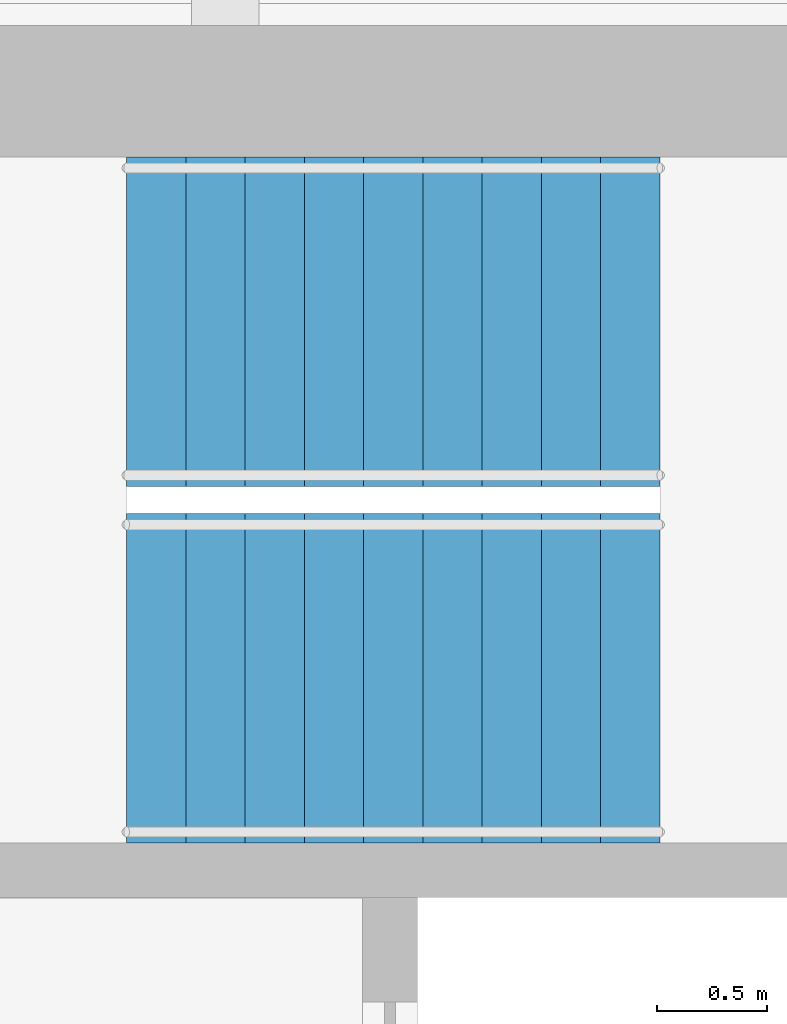
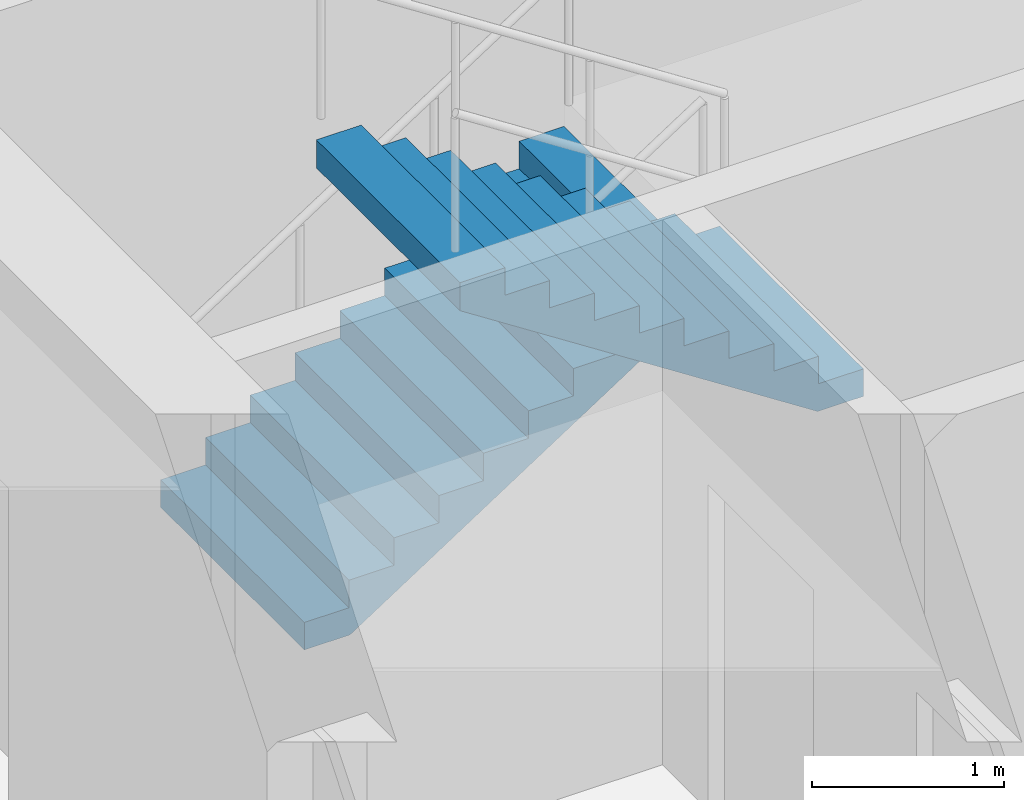
# One storey, part 16 of 21: 2 stair flights, 1 element without a shape of its own.
"""IFC4 building model written with IfcOpenShell, lengths in metres."""

from ifc_helpers import new_model, si_unit, direction, frame, origin, place, context, subcontext, project, spatial, polyline, outline, extrude, material, type_object, element, aggregate, save


model = new_model("IFC4")

# Units and contexts
model_context = context("Model", 3, precision=1e-05, world=origin(), true_north=direction((0.0, 1.0)))
body_context = subcontext(model_context, "Body", "Model", "MODEL_VIEW")
ifc_project = project(units=[si_unit("LENGTHUNIT", "METRE"), si_unit("AREAUNIT", "SQUARE_METRE"), si_unit("VOLUMEUNIT", "CUBIC_METRE"), si_unit("PLANEANGLEUNIT", "RADIAN"), si_unit("MASSUNIT", "GRAM", prefix="KILO")], contexts=[model_context])

# Site, building, storey
site_placement = place(None, origin())
site = spatial("IfcSite", under=ifc_project, at=site_placement, CompositionType="ELEMENT")
building_placement = place(site_placement, origin())
building = spatial("IfcBuilding", under=site, at=building_placement, Name="Msasa Ring Tower", CompositionType="ELEMENT")
storey_placement = place(building_placement, frame((0.0, 0.0, 40.5)))
storey = spatial("IfcBuildingStorey", under=building, at=storey_placement, Name="L09", CompositionType="ELEMENT", Elevation=40.5)

# Stair, stair flights
ifc_material_1 = material(Name="Concrete C40/50", Category="concrete")
stair_type = type_object("IfcStairType", Name="STC CORE STAIR 20 RISERS 175", PredefinedType="HALF_TURN_STAIR", material=ifc_material_1)
stair_placement = place(storey_placement, origin())
stair = element("IfcStair", 1, at=stair_placement, inside=storey, type_object=stair_type, Name="Core stair SEB L09", PredefinedType="HALF_TURN_STAIR")
ifc_material_2 = material(Name="Concrete C40/50", Category="concrete")
stair_flight_type = type_object("IfcStairFlightType", Name="ST12 CORE STAIR FLIGHT 1500 10 RISERS 175", PredefinedType="STRAIGHT", material=ifc_material_2)
stair_flight_1_placement = place(storey_placement, frame((10.800048828125, 5.699951171875, 0.0), z_axis=(0.0, 0.0, 1.0), x_axis=(1.0, 0.0, 0.0)))
stair_flight_1 = element("IfcStairFlight", 2, at=stair_flight_1_placement, type_object=stair_flight_type, Name="SEB flight 1", NumberOfRisers=10, NumberOfTreads=9, PredefinedType="STRAIGHT", RiserHeight=0.175, TreadLength=0.27, context=body_context, shape_type="SweptSolid", body=[
    extrude(outline(polyline([(0.0, 0.0), (0.0, 0.175048828125), (0.27001953125, 0.175048828125), (0.27001953125, 0.35009765625), (0.5400390625, 0.35009765625), (0.5400390625, 0.52490234375), (0.81005859375, 0.52490234375), (0.81005859375, 0.699951171875), (1.080078125, 0.699951171875), (1.080078125, 0.875), (1.35009765625, 0.875), (1.35009765625, 1.050048828125), (1.6201171875, 1.050048828125), (1.6201171875, 1.22509765625), (1.889892578125, 1.22509765625), (1.889892578125, 1.39990234375), (2.159912109375, 1.39990234375), (2.159912109375, 1.574951171875), (2.429931640625, 1.574951171875), (2.429931640625, 1.75), (2.429931640625, 1.396484375), (0.275634765625, 0.0), (0.0, 0.0)])), frame((0.0, 0.75, 0.0), z_axis=(0.0, -1.0, 0.0), x_axis=(1.0, 0.0, 0.0)), (0.0, 0.0, 1.0), 1.5),
])
stair_flight_2_placement = place(storey_placement, frame((13.22998046875, 4.074951171875, 1.75), z_axis=(0.0, 0.0, 1.0), x_axis=(-1.0, 0.0, 0.0)))
stair_flight_2 = element("IfcStairFlight", 3, at=stair_flight_2_placement, type_object=stair_flight_type, Name="SEB flight 2", NumberOfRisers=10, NumberOfTreads=9, PredefinedType="STRAIGHT", RiserHeight=0.175, TreadLength=0.27, context=body_context, shape_type="SweptSolid", body=[
    extrude(outline(polyline([(0.0, 0.0), (0.0, 0.175048828125), (0.27001953125, 0.175048828125), (0.27001953125, 0.35009765625), (0.5400390625, 0.35009765625), (0.5400390625, 0.52490234375), (0.81005859375, 0.52490234375), (0.81005859375, 0.699951171875), (1.080078125, 0.699951171875), (1.080078125, 0.875), (1.35009765625, 0.875), (1.35009765625, 1.050048828125), (1.6201171875, 1.050048828125), (1.6201171875, 1.22509765625), (1.889892578125, 1.22509765625), (1.889892578125, 1.39990234375), (2.159912109375, 1.39990234375), (2.159912109375, 1.574951171875), (2.429931640625, 1.574951171875), (2.429931640625, 1.75), (2.429931640625, 1.396484375), (0.275634765625, 0.0), (0.0, 0.0)])), frame((0.0, 0.75, 0.0), z_axis=(0.0, -1.0, 0.0), x_axis=(1.0, 0.0, 0.0)), (0.0, 0.0, 1.0), 1.5),
])
aggregate(stair, [stair_flight_1, stair_flight_2])

save(model, "model.ifc")
